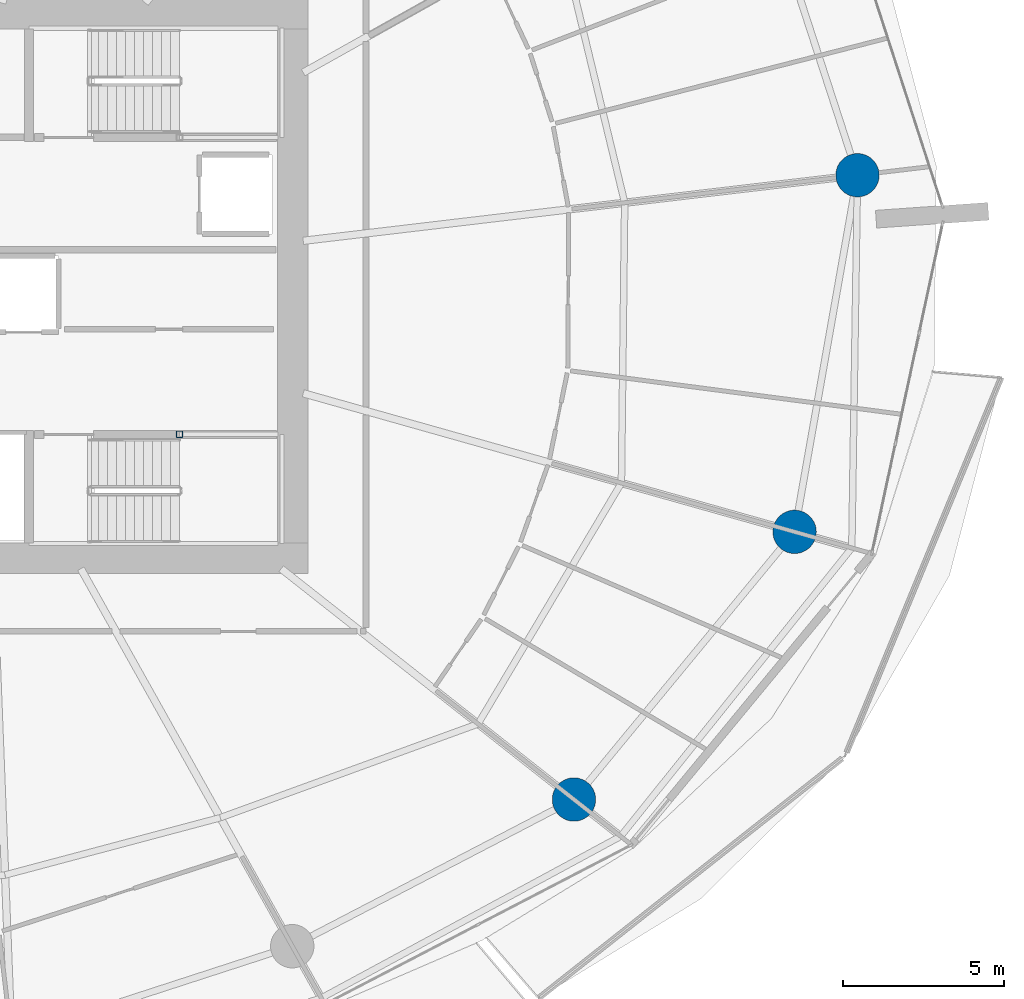
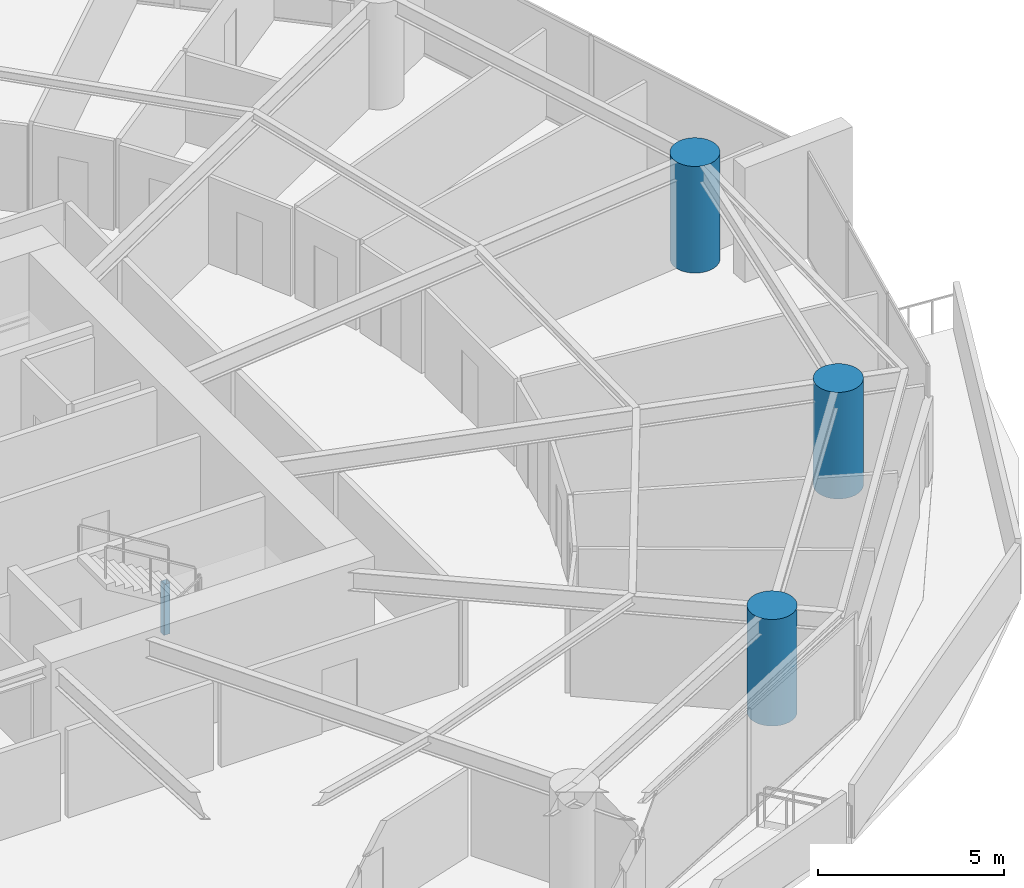
# One storey, part 3 of 31: 4 columns.
"""IFC4 building model written with IfcOpenShell, lengths in metres."""

from ifc_helpers import new_model, si_unit, direction, frame, origin, origin_2d, place, context, subcontext, project, spatial, hollow_rectangle, circle, extrude, material, material_profile, profile_set, type_object, element, save


model = new_model("IFC4")

# Units and contexts
model_context = context("Model", 3, precision=1e-05, world=origin(), true_north=direction((0.0, 1.0)))
body_context = subcontext(model_context, "Body", "Model", "MODEL_VIEW")
ifc_project = project(units=[si_unit("LENGTHUNIT", "METRE"), si_unit("AREAUNIT", "SQUARE_METRE"), si_unit("VOLUMEUNIT", "CUBIC_METRE"), si_unit("PLANEANGLEUNIT", "RADIAN"), si_unit("MASSUNIT", "GRAM", prefix="KILO")], contexts=[model_context])

# Site, building, storey
site_placement = place(None, origin())
site = spatial("IfcSite", under=ifc_project, at=site_placement, CompositionType="ELEMENT")
building_placement = place(site_placement, origin())
building = spatial("IfcBuilding", under=site, at=building_placement, Name="Kazma Halo Residences", CompositionType="ELEMENT")
storey_placement = place(building_placement, frame((0.0, 0.0, 33.89990234375)))
storey = spatial("IfcBuildingStorey", under=building, at=storey_placement, Name="L07", CompositionType="ELEMENT", Elevation=33.89990234375)

# Columns
ifc_material_1 = material(Name="Steel S355", Category="steel")
ifc_material_profile_1 = material_profile(ifc_material_1, hollow_rectangle(XDim=0.199951171875, YDim=0.199951171875, WallThickness=0.010009765625, InnerFilletRadius=0.010009765625, OuterFilletRadius=0.02001953125, at=origin_2d()), Name="SHS200x200x10")
ifc_profile_set_1 = profile_set([ifc_material_profile_1], Name="Steel S355")
column_type_1 = type_object("IfcColumnType", Name="COL-LP-SHS200", PredefinedType="COLUMN", material=ifc_profile_set_1)
column_placement = place(storey_placement, frame((56.0, 37.3798828125, 0.0), z_axis=(0.0, 0.0, 1.0), x_axis=(1.0, 0.0, 0.0)))
element("IfcColumn", 1, at=column_placement, inside=storey, type_object=column_type_1, Name="L07 ST-03 landing pilaster 1", PredefinedType="COLUMN", context=body_context, shape_type="SweptSolid", body=[
    extrude(hollow_rectangle(XDim=0.199951171875, YDim=0.199951171875, WallThickness=0.010009765625, InnerFilletRadius=0.010009765625, OuterFilletRadius=0.02001953125, at=origin_2d()), origin(), (0.0, 0.0, 1.0), 1.670166015625),
])
ifc_material_2 = material(Name="Concrete C80/95", Category="concrete")
ifc_material_profile_2 = material_profile(ifc_material_2, circle(Radius=0.675048828125, at=origin_2d()), Name="CIRC1350")
ifc_profile_set_2 = profile_set([ifc_material_profile_2], Name="Concrete C80/95")
column_type_2 = type_object("IfcColumnType", Name="COL-PERIM-1350", PredefinedType="COLUMN", material=ifc_profile_set_2)
for number, where, z_axis, x_axis, name in (
    (2, (68.27587890625, 26.015869140625, 0.0), (0.0, 0.0, 1.0), (1.0, 0.0, 0.0), "L07 perimeter ring column P14"),
    (3, (75.140869140625, 34.345458984375, 0.0), (0.0, 0.0, 1.0), (1.0, 0.0, 0.0), "L07 perimeter ring column P15"),
    (4, (77.097900390625, 45.444091796875, 0.0), (0.0, 0.0, 1.0), (1.0, 0.0, 0.0), "L07 perimeter ring column P16"),
):
    element("IfcColumn", number, at=place(storey_placement, frame(where, z_axis=z_axis, x_axis=x_axis)), inside=storey, type_object=column_type_2, Name=name, PredefinedType="COLUMN", context=body_context, shape_type="SweptSolid", body=[
        extrude(circle(Radius=0.675048828125, at=origin_2d()), origin(), (0.0, 0.0, 1.0), 3.5),
    ])

save(model, "model.ifc")
